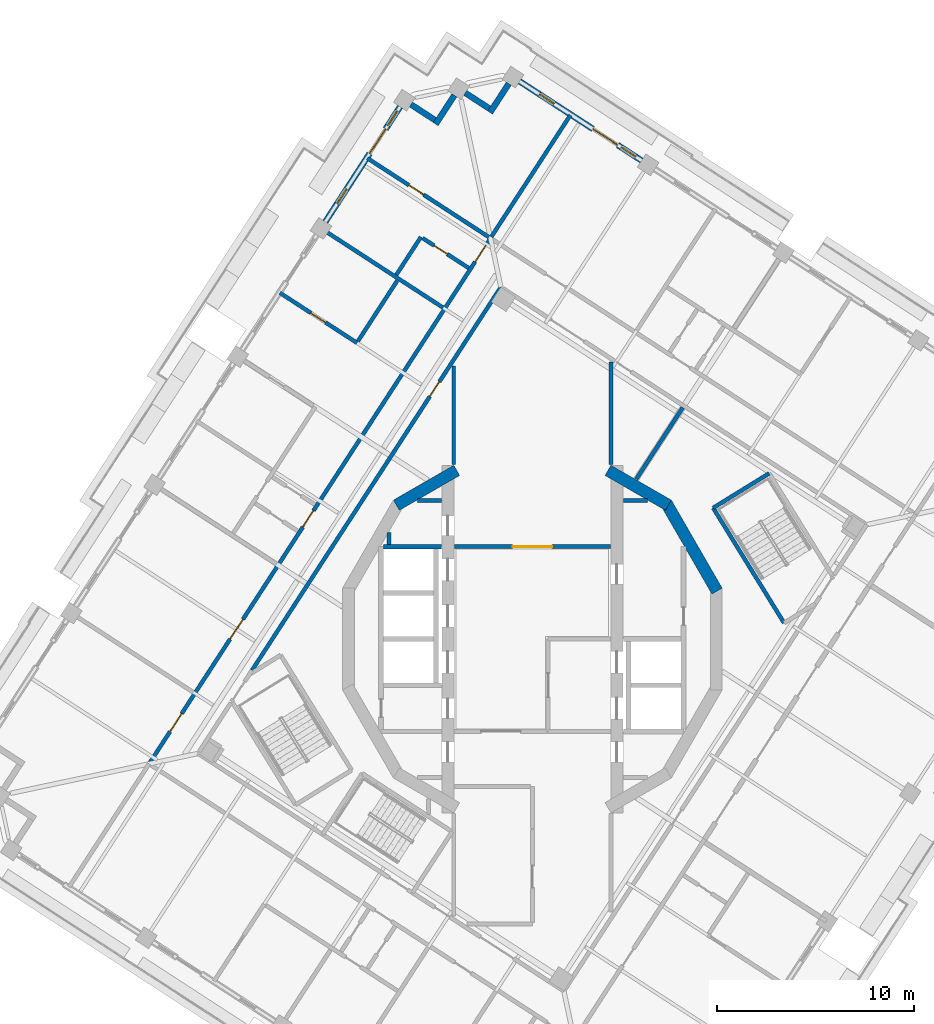
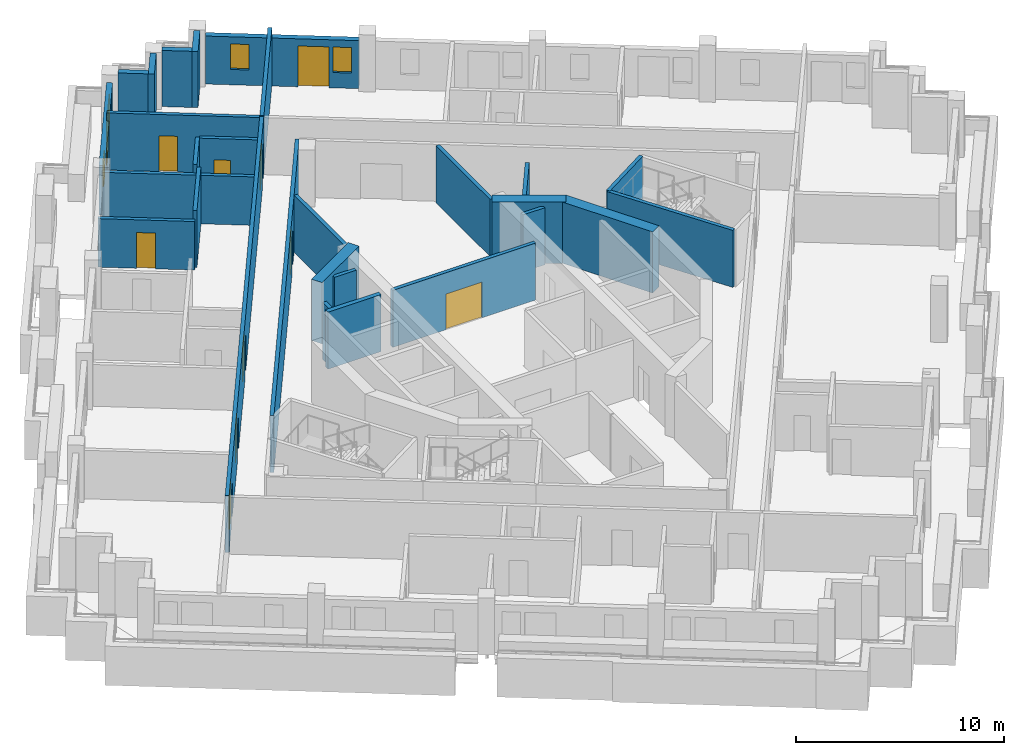
# One storey, part 8 of 15: 28 walls, 11 doors, 4 windows, 15 openings.
"""IFC4 building model written with IfcOpenShell, lengths in metres."""

from ifc_helpers import new_model, si_unit, direction, frame, frame_2d, origin, place, context, subcontext, project, spatial, rectangle, extrude, material, layer, layer_set, type_object, element, fill, save


model = new_model("IFC4")

# Units and contexts
model_context = context("Model", 3, precision=1e-05, world=origin(), true_north=direction((0.0, 1.0)))
body_context = subcontext(model_context, "Body", "Model", "MODEL_VIEW")
ifc_project = project(units=[si_unit("LENGTHUNIT", "METRE"), si_unit("AREAUNIT", "SQUARE_METRE"), si_unit("VOLUMEUNIT", "CUBIC_METRE"), si_unit("PLANEANGLEUNIT", "RADIAN"), si_unit("MASSUNIT", "GRAM", prefix="KILO")], contexts=[model_context])

# Site, building, storey
site_placement = place(None, origin())
site = spatial("IfcSite", under=ifc_project, at=site_placement, CompositionType="ELEMENT")
building_placement = place(site_placement, origin())
building = spatial("IfcBuilding", under=site, at=building_placement, Name="Cantera Rosa Tower", CompositionType="ELEMENT")
storey_placement = place(building_placement, frame((0.0, 0.0, 261.300048828125)))
storey = spatial("IfcBuildingStorey", under=building, at=storey_placement, Name="L58", CompositionType="ELEMENT", Elevation=261.300048828125)

# Wall
ifc_material_1 = material(Name="Gypsum board partition")
ifc_layer_1 = layer(ifc_material_1, 0.199951171875)
ifc_layer_set_1 = layer_set([ifc_layer_1], Name="CORRIDOR WALL 200 H3350")
wall_type_1 = type_object("IfcWallType", Name="CORRIDOR WALL 200 H3350", PredefinedType="PARTITIONING", material=ifc_layer_set_1)
wall_1_placement = place(storey_placement, frame((-4.0, 13.90087890625, 0.0), z_axis=(0.0, 0.0, 1.0), x_axis=(0.0, -1.0, 0.0)))
element("IfcWall", 1, at=wall_1_placement, inside=storey, type_object=wall_type_1, Name="CORRIDOR WALL L58-047", PredefinedType="PARTITIONING", context=body_context, shape_type="SweptSolid", body=[
    extrude(rectangle(XDim=5.02197265625, YDim=0.199951171875, at=frame_2d((2.510986328125, 0.0))), origin(), (0.0, 0.0, 1.0), 3.349853515625),
])

# Wall, opening, door
wall_2_placement = place(storey_placement, frame((-3.969970703125, 4.699951171875, 0.0), z_axis=(0.0, 0.0, 1.0), x_axis=(1.0, 0.0, 0.0)))
wall_2 = element("IfcWall", 2, at=wall_2_placement, inside=storey, type_object=wall_type_1, Name="CORRIDOR WALL L58-048", PredefinedType="PARTITIONING", context=body_context, shape_type="SweptSolid", body=[
    extrude(rectangle(XDim=7.93994140625, YDim=0.199951171875, at=frame_2d((3.969970703125, 0.0))), origin(), (0.0, 0.0, 1.0), 3.349853515625),
])
opening_1_placement = place(wall_2_placement, frame((2.969970703125, 0.0, 0.0)))
opening_1 = element("IfcOpeningElement", 3, at=opening_1_placement, cuts=wall_2, Name="Opening L58-009", PredefinedType="OPENING", context=body_context, shape_type="SweptSolid", body=[
    extrude(rectangle(XDim=2.0, YDim=2.10009765625, at=frame_2d((1.0, 1.050048828125))), frame((0.0, 0.10986328125, 0.0), z_axis=(0.0, -1.0, 0.0), x_axis=(1.0, 0.0, 0.0)), (0.0, 0.0, 1.0), 0.219970703125),
])
ifc_material_2 = material(Name="Steel S355J2 (EN 10025-2)", Category="steel")
door_type_1 = type_object("IfcDoorType", Name="LOBBY SCREEN DOOR 2000x2100", OperationType="NOTDEFINED", PredefinedType="DOOR", material=ifc_material_2)
door_1_placement = place(opening_1_placement, origin())
door_1 = element("IfcDoor", 4, at=door_1_placement, inside=storey, type_object=door_type_1, Name="DOOR L58-009", OperationType="NOTDEFINED", OverallHeight=2.10009765625, OverallWidth=2.0, PredefinedType="DOOR", context=body_context, shape_type="SweptSolid", body=[
    extrude(rectangle(XDim=2.0, YDim=2.10009765625, at=frame_2d((1.0, 1.050048828125))), frame((0.0, 0.02490234375, 0.0), z_axis=(0.0, -1.0, 0.0), x_axis=(1.0, 0.0, 0.0)), (0.0, 0.0, 1.0), 0.050048828125),
])
fill(opening_1, door_1)

# Wall, openings, doors
wall_3_placement = place(storey_placement, frame((-2.1318359375, 20.402587890625, 0.0), z_axis=(0.0, 0.0, 1.0), x_axis=(-0.544643219415, -0.838667850549, 0.0)))
wall_3 = element("IfcWall", 5, at=wall_3_placement, inside=storey, type_object=wall_type_1, Name="CORRIDOR WALL L58-050", PredefinedType="PARTITIONING", context=body_context, shape_type="SweptSolid", body=[
    extrude(rectangle(XDim=31.880126953125, YDim=0.199951171875, at=frame_2d((15.93994140625, 0.0))), origin(), (0.0, 0.0, 1.0), 3.349853515625),
])
opening_2_placement = place(wall_3_placement, frame((16.5400390625, 0.0, 0.0)))
opening_2 = element("IfcOpeningElement", 6, at=opening_2_placement, cuts=wall_3, Name="Opening L58-025", PredefinedType="OPENING", context=body_context, shape_type="SweptSolid", body=[
    extrude(rectangle(XDim=1.0, YDim=2.10009765625, at=frame_2d((0.5, 1.050048828125))), frame((0.0, 0.10986328125, 0.0), z_axis=(0.0, -1.0, 0.0), x_axis=(1.0, 0.0, 0.0)), (0.0, 0.0, 1.0), 0.219970703125),
])
opening_3_placement = place(wall_3_placement, frame((23.1298828125, 0.0, 0.0)))
opening_3 = element("IfcOpeningElement", 7, at=opening_3_placement, cuts=wall_3, Name="Opening L58-031", PredefinedType="OPENING", context=body_context, shape_type="SweptSolid", body=[
    extrude(rectangle(XDim=1.199951171875, YDim=2.10009765625, at=frame_2d((0.60009765625, 1.050048828125))), frame((0.0, 0.10986328125, 0.0), z_axis=(0.0, -1.0, 0.0), x_axis=(1.0, 0.0, 0.0)), (0.0, 0.0, 1.0), 0.219970703125),
])
opening_4_placement = place(wall_3_placement, frame((0.43994140625, 0.0, 0.0)))
opening_4 = element("IfcOpeningElement", 8, at=opening_4_placement, cuts=wall_3, Name="Opening L58-032", PredefinedType="OPENING", context=body_context, shape_type="SweptSolid", body=[
    extrude(rectangle(XDim=1.0, YDim=2.10009765625, at=frame_2d((0.5, 1.050048828125))), frame((0.0, 0.10986328125, 0.0), z_axis=(0.0, -1.0, 0.0), x_axis=(1.0, 0.0, 0.0)), (0.0, 0.0, 1.0), 0.219970703125),
])
opening_5_placement = place(wall_3_placement, frame((28.85009765625, 0.0, 0.0)))
opening_5 = element("IfcOpeningElement", 9, at=opening_5_placement, cuts=wall_3, Name="Opening L58-035", PredefinedType="OPENING", context=body_context, shape_type="SweptSolid", body=[
    extrude(rectangle(XDim=1.10009765625, YDim=2.10009765625, at=frame_2d((0.550048828125, 1.050048828125))), frame((0.0, 0.10986328125, 0.0), z_axis=(0.0, -1.0, 0.0), x_axis=(1.0, 0.0, 0.0)), (0.0, 0.0, 1.0), 0.219970703125),
])
ifc_material_3 = material(Name="Timber door leaf", Category="wood")
door_type_2 = type_object("IfcDoorType", Name="ENTRANCE DOOR 1000x2100", OperationType="NOTDEFINED", PredefinedType="DOOR", material=ifc_material_3)
door_2_placement = place(opening_2_placement, origin())
door_2 = element("IfcDoor", 10, at=door_2_placement, inside=storey, type_object=door_type_2, Name="DOOR L58-025", OperationType="NOTDEFINED", OverallHeight=2.10009765625, OverallWidth=1.0, PredefinedType="DOOR", context=body_context, shape_type="SweptSolid", body=[
    extrude(rectangle(XDim=1.0, YDim=2.10009765625, at=frame_2d((0.5, 1.050048828125))), frame((0.0, 0.02490234375, 0.0), z_axis=(0.0, -1.0, 0.0), x_axis=(1.0, 0.0, 0.0)), (0.0, 0.0, 1.0), 0.050048828125),
])
fill(opening_2, door_2)
door_3_placement = place(opening_4_placement, origin())
door_3 = element("IfcDoor", 11, at=door_3_placement, inside=storey, type_object=door_type_2, Name="DOOR L58-032", OperationType="NOTDEFINED", OverallHeight=2.10009765625, OverallWidth=1.0, PredefinedType="DOOR", context=body_context, shape_type="SweptSolid", body=[
    extrude(rectangle(XDim=1.0, YDim=2.10009765625, at=frame_2d((0.5, 1.050048828125))), frame((0.0, 0.02490234375, 0.0), z_axis=(0.0, -1.0, 0.0), x_axis=(1.0, 0.0, 0.0)), (0.0, 0.0, 1.0), 0.050048828125),
])
fill(opening_4, door_3)
ifc_material_4 = material(Name="Timber door leaf", Category="wood")
door_type_3 = type_object("IfcDoorType", Name="ROOM DOOR 1100x2100", OperationType="NOTDEFINED", PredefinedType="DOOR", material=ifc_material_4)
door_4_placement = place(opening_5_placement, origin())
door_4 = element("IfcDoor", 12, at=door_4_placement, inside=storey, type_object=door_type_3, Name="DOOR L58-035", OperationType="NOTDEFINED", OverallHeight=2.10009765625, OverallWidth=1.10009765625, PredefinedType="DOOR", context=body_context, shape_type="SweptSolid", body=[
    extrude(rectangle(XDim=1.10009765625, YDim=2.10009765625, at=frame_2d((0.550048828125, 1.050048828125))), frame((0.0, 0.02490234375, 0.0), z_axis=(0.0, -1.0, 0.0), x_axis=(1.0, 0.0, 0.0)), (0.0, 0.0, 1.0), 0.050048828125),
])
fill(opening_5, door_4)
ifc_material_5 = material(Name="Timber door leaf", Category="wood")
door_type_4 = type_object("IfcDoorType", Name="ROOM DOOR 1200x2100", OperationType="NOTDEFINED", PredefinedType="DOOR", material=ifc_material_5)
door_5_placement = place(opening_3_placement, origin())
door_5 = element("IfcDoor", 13, at=door_5_placement, inside=storey, type_object=door_type_4, Name="DOOR L58-031", OperationType="NOTDEFINED", OverallHeight=2.10009765625, OverallWidth=1.199951171875, PredefinedType="DOOR", context=body_context, shape_type="SweptSolid", body=[
    extrude(rectangle(XDim=1.199951171875, YDim=2.10009765625, at=frame_2d((0.60009765625, 1.050048828125))), frame((0.0, 0.02490234375, 0.0), z_axis=(0.0, -1.0, 0.0), x_axis=(1.0, 0.0, 0.0)), (0.0, 0.0, 1.0), 0.050048828125),
])
fill(opening_3, door_5)

# Wall, opening, door
wall_4_placement = place(storey_placement, frame((-1.6025390625, 17.91259765625, 0.0), z_axis=(0.0, 0.0, 1.0), x_axis=(-0.544642173362, -0.838668529871, 0.0)))
wall_4 = element("IfcWall", 14, at=wall_4_placement, inside=storey, type_object=wall_type_1, Name="CORRIDOR WALL L58-055", PredefinedType="PARTITIONING", context=body_context, shape_type="SweptSolid", body=[
    extrude(rectangle(XDim=23.255126953125, YDim=0.199951171875, at=frame_2d((11.62744140625, 0.0))), origin(), (0.0, 0.0, 1.0), 3.349853515625),
])
opening_6_placement = place(wall_4_placement, frame((5.744140625, 0.0, 0.0)))
opening_6 = element("IfcOpeningElement", 15, at=opening_6_placement, cuts=wall_4, Name="Opening L58-005", PredefinedType="OPENING", context=body_context, shape_type="SweptSolid", body=[
    extrude(rectangle(XDim=0.89990234375, YDim=2.10009765625, at=frame_2d((0.449951171875, 1.050048828125))), frame((0.0, 0.10986328125, 0.0), z_axis=(0.0, -1.0, 0.0), x_axis=(1.0, 0.0, 0.0)), (0.0, 0.0, 1.0), 0.219970703125),
])
ifc_material_6 = material(Name="Timber door leaf", Category="wood")
door_type_5 = type_object("IfcDoorType", Name="SERVICE DOOR 900x2100", OperationType="NOTDEFINED", PredefinedType="DOOR", material=ifc_material_6)
door_6_placement = place(opening_6_placement, origin())
door_6 = element("IfcDoor", 16, at=door_6_placement, inside=storey, type_object=door_type_5, Name="DOOR L58-005", OperationType="NOTDEFINED", OverallHeight=2.10009765625, OverallWidth=0.89990234375, PredefinedType="DOOR", context=body_context, shape_type="SweptSolid", body=[
    extrude(rectangle(XDim=0.89990234375, YDim=2.10009765625, at=frame_2d((0.449951171875, 1.050048828125))), frame((0.0, 0.02490234375, 0.0), z_axis=(0.0, -1.0, 0.0), x_axis=(1.0, 0.0, 0.0)), (0.0, 0.0, 1.0), 0.050048828125),
])
fill(opening_6, door_6)

# Walls
wall_5_placement = place(storey_placement, frame((4.0, 8.87890625, 0.0), z_axis=(0.0, 0.0, 1.0), x_axis=(0.0, 1.0, 0.0)))
element("IfcWall", 17, at=wall_5_placement, inside=storey, type_object=wall_type_1, Name="CORRIDOR WALL L58-069", PredefinedType="PARTITIONING", context=body_context, shape_type="SweptSolid", body=[
    extrude(rectangle(XDim=5.21533203125, YDim=0.199951171875, at=frame_2d((2.607666015625, 0.0))), origin(), (0.0, 0.0, 1.0), 3.349853515625),
])
ifc_material_7 = material(Name="Hollow clay masonry with cantera stone cladding", Category="masonry")
ifc_layer_2 = layer(ifc_material_7, 0.300048828125)
ifc_layer_set_2 = layer_set([ifc_layer_2], Name="EW-LOGGIA 300")
wall_type_2 = type_object("IfcWallType", Name="EW-LOGGIA 300", PredefinedType="SOLIDWALL", material=ifc_layer_set_2)
wall_6_placement = place(storey_placement, frame((-1.2001953125, 28.263427734375, 0.0), z_axis=(0.0, 0.0, 1.0), x_axis=(-0.54461563776, -0.838685761837, 0.0)))
element("IfcWall", 18, at=wall_6_placement, inside=storey, type_object=wall_type_2, Name="EN-L58-W05a", PredefinedType="SOLIDWALL", context=body_context, shape_type="SweptSolid", body=[
    extrude(rectangle(XDim=1.75, YDim=0.300048828125, at=frame_2d((0.875, 0.0))), origin(), (0.0, 0.0, 1.0), 3.300048828125),
])
wall_7_placement = place(storey_placement, frame((-2.197509765625, 27.003173828125, 0.0), z_axis=(0.0, 0.0, 1.0), x_axis=(-0.838647435384, 0.54467465438, 0.0)))
element("IfcWall", 19, at=wall_7_placement, inside=storey, type_object=wall_type_2, Name="EN-L58-W05b", PredefinedType="SOLIDWALL", context=body_context, shape_type="SweptSolid", body=[
    extrude(rectangle(XDim=1.449951171875, YDim=0.300048828125, at=frame_2d((0.72509765625, 0.0))), origin(), (0.0, 0.0, 1.0), 3.300048828125),
])
wall_8_placement = place(storey_placement, frame((-3.966796875, 27.67529296875, 0.0), z_axis=(0.0, 0.0, 1.0), x_axis=(-0.544679362749, -0.83864437743, 0.0)))
element("IfcWall", 20, at=wall_8_placement, inside=storey, type_object=wall_type_2, Name="EN-L58-W06a", PredefinedType="SOLIDWALL", context=body_context, shape_type="SweptSolid", body=[
    extrude(rectangle(XDim=1.75, YDim=0.300048828125, at=frame_2d((0.875, 0.0))), origin(), (0.0, 0.0, 1.0), 3.300048828125),
])
wall_9_placement = place(storey_placement, frame((-4.964111328125, 26.415283203125, 0.0), z_axis=(0.0, 0.0, 1.0), x_axis=(-0.838724343483, 0.544556218997, 0.0)))
element("IfcWall", 21, at=wall_9_placement, inside=storey, type_object=wall_type_2, Name="EN-L58-W06b", PredefinedType="SOLIDWALL", context=body_context, shape_type="SweptSolid", body=[
    extrude(rectangle(XDim=1.449951171875, YDim=0.300048828125, at=frame_2d((0.72509765625, 0.0))), origin(), (0.0, 0.0, 1.0), 3.300048828125),
])

# Wall, openings, windows, door
ifc_material_8 = material(Name="Hollow clay masonry with cantera stone cladding", Category="masonry")
ifc_layer_3 = layer(ifc_material_8, 0.300048828125)
ifc_layer_set_3 = layer_set([ifc_layer_3], Name="EW-LOGGIA 300 H2820")
wall_type_3 = type_object("IfcWallType", Name="EW-LOGGIA 300 H2820", PredefinedType="SOLIDWALL", material=ifc_layer_set_3)
wall_10_placement = place(storey_placement, frame((5.559326171875, 24.350830078125, 0.0), z_axis=(0.0, 0.0, 1.0), x_axis=(-0.838679465365, 0.544625333946, 0.0)))
wall_10 = element("IfcWall", 22, at=wall_10_placement, inside=storey, type_object=wall_type_3, Name="EN-L58-W04", PredefinedType="SOLIDWALL", context=body_context, shape_type="SweptSolid", body=[
    extrude(rectangle(XDim=7.400146484375, YDim=0.300048828125, at=frame_2d((3.7001953125, 0.0))), origin(), (0.0, 0.0, 1.0), 2.820068359375),
])
opening_7_placement = place(wall_10_placement, frame((0.35009765625, 0.0, 0.89990234375)))
opening_7 = element("IfcOpeningElement", 23, at=opening_7_placement, cuts=wall_10, Name="Opening L58-W10", PredefinedType="OPENING", context=body_context, shape_type="SweptSolid", body=[
    extrude(rectangle(XDim=0.89990234375, YDim=1.5, at=frame_2d((0.449951171875, 0.75))), frame((0.0, 0.159912109375, 0.0), z_axis=(0.0, -1.0, 0.0), x_axis=(1.0, 0.0, 0.0)), (0.0, 0.0, 1.0), 0.320068359375),
])
opening_8_placement = place(wall_10_placement, frame((1.449951171875, 0.0, 0.0)))
opening_8 = element("IfcOpeningElement", 24, at=opening_8_placement, cuts=wall_10, Name="Opening L58-TD11", PredefinedType="OPENING", context=body_context, shape_type="SweptSolid", body=[
    extrude(rectangle(XDim=1.5, YDim=2.39990234375, at=frame_2d((0.75, 1.199951171875))), frame((0.0, 0.159912109375, 0.0), z_axis=(0.0, -1.0, 0.0), x_axis=(1.0, 0.0, 0.0)), (0.0, 0.0, 1.0), 0.320068359375),
])
opening_9_placement = place(wall_10_placement, frame((5.300048828125, 0.0, 0.89990234375)))
opening_9 = element("IfcOpeningElement", 25, at=opening_9_placement, cuts=wall_10, Name="Opening L58-W12", PredefinedType="OPENING", context=body_context, shape_type="SweptSolid", body=[
    extrude(rectangle(XDim=0.89990234375, YDim=1.5, at=frame_2d((0.449951171875, 0.75))), frame((0.0, 0.159912109375, 0.0), z_axis=(0.0, -1.0, 0.0), x_axis=(1.0, 0.0, 0.0)), (0.0, 0.0, 1.0), 0.320068359375),
])
ifc_material_9 = material(Name="Aluminium frame with clear glass", Category="aluminium")
window_type = type_object("IfcWindowType", Name="Residential window 900x1500", PartitioningType="SINGLE_PANEL", PredefinedType="WINDOW", material=ifc_material_9)
window_1_placement = place(opening_7_placement, origin())
window_1 = element("IfcWindow", 26, at=window_1_placement, inside=storey, type_object=window_type, Name="WINDOW L58-W10", OverallHeight=1.5, OverallWidth=0.89990234375, PartitioningType="SINGLE_PANEL", PredefinedType="WINDOW", context=body_context, shape_type="SweptSolid", body=[
    extrude(rectangle(XDim=0.89990234375, YDim=1.5, at=frame_2d((0.449951171875, 0.75))), frame((0.0, 0.030029296875, 0.0), z_axis=(0.0, -1.0, 0.0), x_axis=(1.0, 0.0, 0.0)), (0.0, 0.0, 1.0), 0.06005859375),
])
fill(opening_7, window_1)
window_2_placement = place(opening_9_placement, origin())
window_2 = element("IfcWindow", 27, at=window_2_placement, inside=storey, type_object=window_type, Name="WINDOW L58-W12", OverallHeight=1.5, OverallWidth=0.89990234375, PartitioningType="SINGLE_PANEL", PredefinedType="WINDOW", context=body_context, shape_type="SweptSolid", body=[
    extrude(rectangle(XDim=0.89990234375, YDim=1.5, at=frame_2d((0.449951171875, 0.75))), frame((0.0, 0.030029296875, 0.0), z_axis=(0.0, -1.0, 0.0), x_axis=(1.0, 0.0, 0.0)), (0.0, 0.0, 1.0), 0.06005859375),
])
fill(opening_9, window_2)
ifc_material_10 = material(Name="Aluminium frame with clear glass", Category="aluminium")
door_type_6 = type_object("IfcDoorType", Name="TD-R 1500x2400", OperationType="NOTDEFINED", PredefinedType="DOOR", material=ifc_material_10)
door_7_placement = place(opening_8_placement, origin())
door_7 = element("IfcDoor", 28, at=door_7_placement, inside=storey, type_object=door_type_6, Name="LOGGIA DOOR L58-TD11", OperationType="SLIDING_TO_LEFT", OverallHeight=2.39990234375, OverallWidth=1.5, PredefinedType="DOOR", context=body_context, shape_type="SweptSolid", body=[
    extrude(rectangle(XDim=1.5, YDim=2.39990234375, at=frame_2d((0.75, 1.199951171875))), frame((0.0, 0.02490234375, 0.0), z_axis=(0.0, -1.0, 0.0), x_axis=(1.0, 0.0, 0.0)), (0.0, 0.0, 1.0), 0.050048828125),
])
fill(opening_8, door_7)

ifc_material_11 = material(Name="Hollow clay masonry with cantera stone cladding", Category="masonry")
ifc_layer_4 = layer(ifc_material_11, 0.300048828125)
ifc_layer_set_4 = layer_set([ifc_layer_4], Name="EW-LOGGIA 300 H2890")
wall_type_4 = type_object("IfcWallType", Name="EW-LOGGIA 300 H2890", PredefinedType="SOLIDWALL", material=ifc_layer_set_4)
wall_11_placement = place(storey_placement, frame((-6.7333984375, 27.08740234375, 0.0), z_axis=(0.0, 0.0, 1.0), x_axis=(-0.544651451949, -0.838662504164, 0.0)))
wall_11 = element("IfcWall", 29, at=wall_11_placement, inside=storey, type_object=wall_type_4, Name="EN-L58-W07", PredefinedType="SOLIDWALL", context=body_context, shape_type="SweptSolid", body=[
    extrude(rectangle(XDim=6.980224609375, YDim=0.300048828125, at=frame_2d((3.490234375, 0.0))), origin(), (0.0, 0.0, 1.0), 2.889892578125),
])
opening_10_placement = place(wall_11_placement, frame((0.2451171875, 0.0, 0.89990234375)))
opening_10 = element("IfcOpeningElement", 30, at=opening_10_placement, cuts=wall_11, Name="Opening L58-W13", PredefinedType="OPENING", context=body_context, shape_type="SweptSolid", body=[
    extrude(rectangle(XDim=0.89990234375, YDim=1.5, at=frame_2d((0.449951171875, 0.75))), frame((0.0, 0.159912109375, 0.0), z_axis=(0.0, -1.0, 0.0), x_axis=(1.0, 0.0, 0.0)), (0.0, 0.0, 1.0), 0.320068359375),
])
opening_11_placement = place(wall_11_placement, frame((1.344970703125, 0.0, 0.0)))
opening_11 = element("IfcOpeningElement", 31, at=opening_11_placement, cuts=wall_11, Name="Opening L58-TD14", PredefinedType="OPENING", context=body_context, shape_type="SweptSolid", body=[
    extrude(rectangle(XDim=1.5, YDim=2.39990234375, at=frame_2d((0.75, 1.199951171875))), frame((0.0, 0.159912109375, 0.0), z_axis=(0.0, -1.0, 0.0), x_axis=(1.0, 0.0, 0.0)), (0.0, 0.0, 1.0), 0.320068359375),
])
opening_12_placement = place(wall_11_placement, frame((4.985107421875, 0.0, 0.89990234375)))
opening_12 = element("IfcOpeningElement", 32, at=opening_12_placement, cuts=wall_11, Name="Opening L58-W15", PredefinedType="OPENING", context=body_context, shape_type="SweptSolid", body=[
    extrude(rectangle(XDim=0.89990234375, YDim=1.5, at=frame_2d((0.449951171875, 0.75))), frame((0.0, 0.159912109375, 0.0), z_axis=(0.0, -1.0, 0.0), x_axis=(1.0, 0.0, 0.0)), (0.0, 0.0, 1.0), 0.320068359375),
])
window_3_placement = place(opening_10_placement, origin())
window_3 = element("IfcWindow", 33, at=window_3_placement, inside=storey, type_object=window_type, Name="WINDOW L58-W13", OverallHeight=1.5, OverallWidth=0.89990234375, PartitioningType="SINGLE_PANEL", PredefinedType="WINDOW", context=body_context, shape_type="SweptSolid", body=[
    extrude(rectangle(XDim=0.89990234375, YDim=1.5, at=frame_2d((0.449951171875, 0.75))), frame((0.0, 0.030029296875, 0.0), z_axis=(0.0, -1.0, 0.0), x_axis=(1.0, 0.0, 0.0)), (0.0, 0.0, 1.0), 0.06005859375),
])
fill(opening_10, window_3)
window_4_placement = place(opening_12_placement, origin())
window_4 = element("IfcWindow", 34, at=window_4_placement, inside=storey, type_object=window_type, Name="WINDOW L58-W15", OverallHeight=1.5, OverallWidth=0.89990234375, PartitioningType="SINGLE_PANEL", PredefinedType="WINDOW", context=body_context, shape_type="SweptSolid", body=[
    extrude(rectangle(XDim=0.89990234375, YDim=1.5, at=frame_2d((0.449951171875, 0.75))), frame((0.0, 0.030029296875, 0.0), z_axis=(0.0, -1.0, 0.0), x_axis=(1.0, 0.0, 0.0)), (0.0, 0.0, 1.0), 0.06005859375),
])
fill(opening_12, window_4)
door_8_placement = place(opening_11_placement, origin())
door_8 = element("IfcDoor", 35, at=door_8_placement, inside=storey, type_object=door_type_6, Name="LOGGIA DOOR L58-TD14", OperationType="SLIDING_TO_LEFT", OverallHeight=2.39990234375, OverallWidth=1.5, PredefinedType="DOOR", context=body_context, shape_type="SweptSolid", body=[
    extrude(rectangle(XDim=1.5, YDim=2.39990234375, at=frame_2d((0.75, 1.199951171875))), frame((0.0, 0.02490234375, 0.0), z_axis=(0.0, -1.0, 0.0), x_axis=(1.0, 0.0, 0.0)), (0.0, 0.0, 1.0), 0.050048828125),
])
fill(opening_11, door_8)

# Wall
ifc_material_12 = material(Name="Gypsum board partition")
ifc_layer_5 = layer(ifc_material_12, 0.199951171875)
ifc_layer_set_5 = layer_set([ifc_layer_5], Name="PARTITION 200 H2450")
wall_type_5 = type_object("IfcWallType", Name="PARTITION 200 H2450", PredefinedType="PARTITIONING", material=ifc_layer_set_5)
wall_12_placement = place(storey_placement, frame((7.652099609375, 11.783203125, 0.0), z_axis=(0.0, 0.0, 1.0), x_axis=(-0.544629041503, -0.838677057724, 0.0)))
element("IfcWall", 36, at=wall_12_placement, inside=storey, type_object=wall_type_5, Name="PARTITION L58-079", PredefinedType="PARTITIONING", context=body_context, shape_type="SweptSolid", body=[
    extrude(rectangle(XDim=4.347412109375, YDim=0.199951171875, at=frame_2d((2.173828125, 0.0))), origin(), (0.0, 0.0, 1.0), 2.449951171875),
])

# Wall, opening, door
ifc_material_13 = material(Name="Gypsum board partition")
ifc_layer_6 = layer(ifc_material_13, 0.199951171875)
ifc_layer_set_6 = layer_set([ifc_layer_6], Name="PARTITION 200 H2850")
wall_type_6 = type_object("IfcWallType", Name="PARTITION 200 H2850", PredefinedType="PARTITIONING", material=ifc_layer_set_6)
wall_13_placement = place(storey_placement, frame((-12.846435546875, 17.619140625, 0.0), z_axis=(0.0, 0.0, 1.0), x_axis=(0.838681218127, -0.544622634822, 0.0)))
wall_13 = element("IfcWall", 37, at=wall_13_placement, inside=storey, type_object=wall_type_6, Name="PARTITION L58-018", PredefinedType="PARTITIONING", context=body_context, shape_type="SweptSolid", body=[
    extrude(rectangle(XDim=4.670166015625, YDim=0.199951171875, at=frame_2d((2.3349609375, 0.0))), origin(), (0.0, 0.0, 1.0), 2.849853515625),
])
opening_13_placement = place(wall_13_placement, frame((1.8701171875, 0.0, 0.0)))
opening_13 = element("IfcOpeningElement", 38, at=opening_13_placement, cuts=wall_13, Name="Opening L58-030", PredefinedType="OPENING", context=body_context, shape_type="SweptSolid", body=[
    extrude(rectangle(XDim=0.89990234375, YDim=2.10009765625, at=frame_2d((0.449951171875, 1.050048828125))), frame((0.0, 0.10986328125, 0.0), z_axis=(0.0, -1.0, 0.0), x_axis=(1.0, 0.0, 0.0)), (0.0, 0.0, 1.0), 0.219970703125),
])
ifc_material_14 = material(Name="Timber door leaf", Category="wood")
door_type_7 = type_object("IfcDoorType", Name="ROOM DOOR 900x2100", OperationType="NOTDEFINED", PredefinedType="DOOR", material=ifc_material_14)
door_9_placement = place(opening_13_placement, origin())
door_9 = element("IfcDoor", 39, at=door_9_placement, inside=storey, type_object=door_type_7, Name="DOOR L58-030", OperationType="NOTDEFINED", OverallHeight=2.10009765625, OverallWidth=0.89990234375, PredefinedType="DOOR", context=body_context, shape_type="SweptSolid", body=[
    extrude(rectangle(XDim=0.89990234375, YDim=2.10009765625, at=frame_2d((0.449951171875, 1.050048828125))), frame((0.0, 0.02490234375, 0.0), z_axis=(0.0, -1.0, 0.0), x_axis=(1.0, 0.0, 0.0)), (0.0, 0.0, 1.0), 0.050048828125),
])
fill(opening_13, door_9)

# Walls
ifc_material_15 = material(Name="Gypsum board partition")
ifc_layer_7 = layer(ifc_material_15, 0.199951171875)
ifc_layer_set_7 = layer_set([ifc_layer_7], Name="PARTITION 200 H3350")
wall_type_7 = type_object("IfcWallType", Name="PARTITION 200 H3350", PredefinedType="PARTITIONING", material=ifc_layer_set_7)
wall_14_placement = place(storey_placement, frame((-8.87548828125, 15.15966796875, 0.0), z_axis=(0.0, 0.0, 1.0), x_axis=(0.544682009132, 0.838642658662, 0.0)))
element("IfcWall", 40, at=wall_14_placement, inside=storey, type_object=wall_type_7, Name="PARTITION L58-026", PredefinedType="PARTITIONING", context=body_context, shape_type="SweptSolid", body=[
    extrude(rectangle(XDim=3.670166015625, YDim=0.199951171875, at=frame_2d((1.8349609375, 0.0))), origin(), (0.0, 0.0, 1.0), 3.349853515625),
])
wall_15_placement = place(storey_placement, frame((-7.300048828125, 4.824951171875, 0.0), z_axis=(0.0, 0.0, 1.0), x_axis=(0.0, 1.0, 0.0)))
element("IfcWall", 41, at=wall_15_placement, inside=storey, type_object=wall_type_7, Name="PARTITION L58-035", PredefinedType="PARTITIONING", context=body_context, shape_type="SweptSolid", body=[
    extrude(rectangle(XDim=0.589599609375, YDim=0.199951171875, at=frame_2d((0.294921875, 0.0))), origin(), (0.0, 0.0, 1.0), 3.349853515625),
])
wall_16_placement = place(storey_placement, frame((-6.924560546875, 18.531005859375, 0.0), z_axis=(0.0, 0.0, 1.0), x_axis=(0.544641320086, 0.838669083999, 0.0)))
element("IfcWall", 42, at=wall_16_placement, inside=storey, type_object=wall_type_7, Name="PARTITION L58-036", PredefinedType="PARTITIONING", context=body_context, shape_type="SweptSolid", body=[
    extrude(rectangle(XDim=2.300048828125, YDim=0.199951171875, at=frame_2d((1.14990234375, 0.0))), origin(), (0.0, 0.0, 1.0), 3.349853515625),
])
wall_17_placement = place(storey_placement, frame((-5.84765625, 7.050048828125, 0.0), z_axis=(0.0, 0.0, 1.0), x_axis=(1.0, 0.0, 0.0)))
element("IfcWall", 43, at=wall_17_placement, inside=storey, type_object=wall_type_7, Name="PARTITION L58-039", PredefinedType="PARTITIONING", context=body_context, shape_type="SweptSolid", body=[
    extrude(rectangle(XDim=1.2177734375, YDim=0.199951171875, at=frame_2d((0.60888671875, 0.0))), origin(), (0.0, 0.0, 1.0), 3.349853515625),
])

# Wall, opening, door
wall_18_placement = place(storey_placement, frame((-5.587890625, 20.405517578125, 0.0), z_axis=(0.0, 0.0, 1.0), x_axis=(0.838656694237, -0.544660398056, 0.0)))
wall_18 = element("IfcWall", 44, at=wall_18_placement, inside=storey, type_object=wall_type_7, Name="PARTITION L58-040", PredefinedType="PARTITIONING", context=body_context, shape_type="SweptSolid", body=[
    extrude(rectangle(XDim=2.80029296875, YDim=0.199951171875, at=frame_2d((1.400146484375, 0.0))), origin(), (0.0, 0.0, 1.0), 3.349853515625),
])
opening_14_placement = place(wall_18_placement, frame((0.699951171875, 0.0, 0.0)))
opening_14 = element("IfcOpeningElement", 45, at=opening_14_placement, cuts=wall_18, Name="Opening L58-033", PredefinedType="OPENING", context=body_context, shape_type="SweptSolid", body=[
    extrude(rectangle(XDim=0.800048828125, YDim=2.10009765625, at=frame_2d((0.39990234375, 1.050048828125))), frame((0.0, 0.10986328125, 0.0), z_axis=(0.0, -1.0, 0.0), x_axis=(1.0, 0.0, 0.0)), (0.0, 0.0, 1.0), 0.219970703125),
])
ifc_material_16 = material(Name="Timber door leaf", Category="wood")
door_type_8 = type_object("IfcDoorType", Name="BATHROOM DOOR 800x2100", OperationType="NOTDEFINED", PredefinedType="DOOR", material=ifc_material_16)
door_10_placement = place(opening_14_placement, origin())
door_10 = element("IfcDoor", 46, at=door_10_placement, inside=storey, type_object=door_type_8, Name="DOOR L58-033", OperationType="NOTDEFINED", OverallHeight=2.10009765625, OverallWidth=0.800048828125, PredefinedType="DOOR", context=body_context, shape_type="SweptSolid", body=[
    extrude(rectangle(XDim=0.800048828125, YDim=2.10009765625, at=frame_2d((0.39990234375, 1.050048828125))), frame((0.0, 0.02490234375, 0.0), z_axis=(0.0, -1.0, 0.0), x_axis=(1.0, 0.0, 0.0)), (0.0, 0.0, 1.0), 0.050048828125),
])
fill(opening_14, door_10)

wall_19_placement = place(storey_placement, frame((-2.2158203125, 20.45703125, 0.0), z_axis=(0.0, 0.0, 1.0), x_axis=(-0.838656223885, 0.544661122294, 0.0)))
wall_19 = element("IfcWall", 47, at=wall_19_placement, inside=storey, type_object=wall_type_7, Name="PARTITION L58-051", PredefinedType="PARTITIONING", context=body_context, shape_type="SweptSolid", body=[
    extrude(rectangle(XDim=7.3701171875, YDim=0.199951171875, at=frame_2d((3.68505859375, 0.0))), origin(), (0.0, 0.0, 1.0), 3.349853515625),
])
opening_15_placement = place(wall_19_placement, frame((3.949951171875, 0.0, 0.0)))
opening_15 = element("IfcOpeningElement", 48, at=opening_15_placement, cuts=wall_19, Name="Opening L58-034", PredefinedType="OPENING", context=body_context, shape_type="SweptSolid", body=[
    extrude(rectangle(XDim=0.89990234375, YDim=2.10009765625, at=frame_2d((0.449951171875, 1.050048828125))), frame((0.0, 0.10986328125, 0.0), z_axis=(0.0, -1.0, 0.0), x_axis=(1.0, 0.0, 0.0)), (0.0, 0.0, 1.0), 0.219970703125),
])
door_11_placement = place(opening_15_placement, origin())
door_11 = element("IfcDoor", 49, at=door_11_placement, inside=storey, type_object=door_type_7, Name="DOOR L58-034", OperationType="NOTDEFINED", OverallHeight=2.10009765625, OverallWidth=0.89990234375, PredefinedType="DOOR", context=body_context, shape_type="SweptSolid", body=[
    extrude(rectangle(XDim=0.89990234375, YDim=2.10009765625, at=frame_2d((0.449951171875, 1.050048828125))), frame((0.0, 0.02490234375, 0.0), z_axis=(0.0, -1.0, 0.0), x_axis=(1.0, 0.0, 0.0)), (0.0, 0.0, 1.0), 0.050048828125),
])
fill(opening_15, door_11)

# Walls
wall_20_placement = place(storey_placement, frame((4.6298828125, 7.050048828125, 0.0), z_axis=(0.0, 0.0, 1.0), x_axis=(1.0, 0.0, 0.0)))
element("IfcWall", 50, at=wall_20_placement, inside=storey, type_object=wall_type_7, Name="PARTITION L58-071", PredefinedType="PARTITIONING", context=body_context, shape_type="SweptSolid", body=[
    extrude(rectangle(XDim=1.2177734375, YDim=0.199951171875, at=frame_2d((0.60888671875, 0.0))), origin(), (0.0, 0.0, 1.0), 3.349853515625),
])
ifc_material_17 = material(Name="Gypsum board partition")
ifc_layer_8 = layer(ifc_material_17, 0.199951171875)
ifc_layer_set_8 = layer_set([ifc_layer_8], Name="PARTY WALL 200 H2850")
wall_type_8 = type_object("IfcWallType", Name="PARTY WALL 200 H2850", PredefinedType="PARTITIONING", material=ifc_layer_set_8)
wall_21_placement = place(storey_placement, frame((-10.727783203125, 20.881591796875, 0.0), z_axis=(0.0, 0.0, 1.0), x_axis=(0.838671355338, -0.544637822535, 0.0)))
element("IfcWall", 51, at=wall_21_placement, inside=storey, type_object=wall_type_8, Name="PARTY WALL L58-022", PredefinedType="PARTITIONING", context=body_context, shape_type="SweptSolid", body=[
    extrude(rectangle(XDim=7.369873046875, YDim=0.199951171875, at=frame_2d((3.68505859375, 0.0))), origin(), (0.0, 0.0, 1.0), 2.849853515625),
])
ifc_material_18 = material(Name="Gypsum board partition")
ifc_layer_9 = layer(ifc_material_18, 0.199951171875)
ifc_layer_set_9 = layer_set([ifc_layer_9], Name="PARTY WALL 200 H3350")
wall_type_9 = type_object("IfcWallType", Name="PARTY WALL 200 H3350", PredefinedType="PARTITIONING", material=ifc_layer_set_9)
wall_22_placement = place(storey_placement, frame((-2.08837890625, 20.4697265625, 0.0), z_axis=(0.0, 0.0, 1.0), x_axis=(0.544642261206, 0.838668472824, 0.0)))
element("IfcWall", 52, at=wall_22_placement, inside=storey, type_object=wall_type_9, Name="PARTY WALL L58-052", PredefinedType="PARTITIONING", context=body_context, shape_type="SweptSolid", body=[
    extrude(rectangle(XDim=7.389892578125, YDim=0.199951171875, at=frame_2d((3.69482421875, 0.0))), origin(), (0.0, 0.0, 1.0), 3.349853515625),
])
ifc_material_19 = material(Name="Concrete C50/60", Category="concrete")
ifc_layer_10 = layer(ifc_material_19, 0.60009765625)
ifc_layer_set_10 = layer_set([ifc_layer_10], Name="RC CORE WALL 600 C50/60")
wall_type_10 = type_object("IfcWallType", Name="RC CORE WALL 600 C50/60", PredefinedType="SHEAR", material=ifc_layer_set_10)
for number, where, z_axis, x_axis, name in (
    (53, (-6.921142578125, 6.811279296875, 0.0), (0.0, 0.0, 1.0), (0.866039982607, 0.499974747889, 0.0), "CW-W5 L58"),
    (54, (3.85009765625, 8.584228515625, 0.0), (0.0, 0.0, 1.0), (0.866039982607, -0.499974747889, 0.0), "CW-E1 L58"),
):
    element("IfcWall", number, at=place(storey_placement, frame(where, z_axis=z_axis, x_axis=x_axis)), inside=storey, type_object=wall_type_10, Name=name, PredefinedType="SHEAR", context=body_context, shape_type="SweptSolid", body=[
        extrude(rectangle(XDim=3.546142578125, YDim=0.60009765625, at=frame_2d((1.77294921875, 0.0))), origin(), (0.0, 0.0, 1.0), 3.599853515625),
    ])
wall_23_placement = place(storey_placement, frame((6.811279296875, 6.921142578125, 0.0), z_axis=(0.0, 0.0, 1.0), x_axis=(0.499989188378, -0.866031645787, 0.0)))
element("IfcWall", 55, at=wall_23_placement, inside=storey, type_object=wall_type_10, Name="CW-E2 L58", PredefinedType="SHEAR", context=body_context, shape_type="SweptSolid", body=[
    extrude(rectangle(XDim=5.17626953125, YDim=0.60009765625, at=frame_2d((2.588134765625, 0.0))), origin(), (0.0, 0.0, 1.0), 3.599853515625),
])
ifc_material_20 = material(Name="Masonry blockwork", Category="masonry")
ifc_layer_11 = layer(ifc_material_20, 0.25)
ifc_layer_set_11 = layer_set([ifc_layer_11], Name="SHAFT WALL 250 H3350")
wall_type_11 = type_object("IfcWallType", Name="SHAFT WALL 250 H3350", PredefinedType="SOLIDWALL", material=ifc_layer_set_11)
wall_24_placement = place(storey_placement, frame((-7.580078125, 4.699951171875, 0.0), z_axis=(0.0, 0.0, 1.0), x_axis=(1.0, 0.0, 0.0)))
element("IfcWall", 56, at=wall_24_placement, inside=storey, type_object=wall_type_11, Name="SHAFT WALL L58-034", PredefinedType="SOLIDWALL", context=body_context, shape_type="SweptSolid", body=[
    extrude(rectangle(XDim=2.9501953125, YDim=0.25, at=frame_2d((1.47509765625, 0.0))), origin(), (0.0, 0.0, 1.0), 3.349853515625),
])
ifc_material_21 = material(Name="Concrete C50/60", Category="concrete")
ifc_layer_12 = layer(ifc_material_21, 0.199951171875)
ifc_layer_set_12 = layer_set([ifc_layer_12], Name="STAIR WALL 200 H3350")
wall_type_12 = type_object("IfcWallType", Name="STAIR WALL 200 H3350", PredefinedType="SOLIDWALL", material=ifc_layer_set_12)
wall_25_placement = place(storey_placement, frame((9.199462890625, 6.674072265625, 0.0), z_axis=(0.0, 0.0, 1.0), x_axis=(0.524972254536, -0.851119340614, 0.0)))
element("IfcWall", 57, at=wall_25_placement, inside=storey, type_object=wall_type_12, Name="STAIR WALL L58-083", PredefinedType="SOLIDWALL", context=body_context, shape_type="SweptSolid", body=[
    extrude(rectangle(XDim=6.880126953125, YDim=0.199951171875, at=frame_2d((3.43994140625, 0.0))), origin(), (0.0, 0.0, 1.0), 3.349853515625),
])
wall_26_placement = place(storey_placement, frame((12.05078125, 8.4326171875, 0.0), z_axis=(0.0, 0.0, 1.0), x_axis=(-0.85113993661, -0.524938861495, 0.0)))
element("IfcWall", 58, at=wall_26_placement, inside=storey, type_object=wall_type_12, Name="STAIR WALL L58-087", PredefinedType="SOLIDWALL", context=body_context, shape_type="SweptSolid", body=[
    extrude(rectangle(XDim=3.35009765625, YDim=0.199951171875, at=frame_2d((1.675048828125, 0.0))), origin(), (0.0, 0.0, 1.0), 3.349853515625),
])

save(model, "model.ifc")
